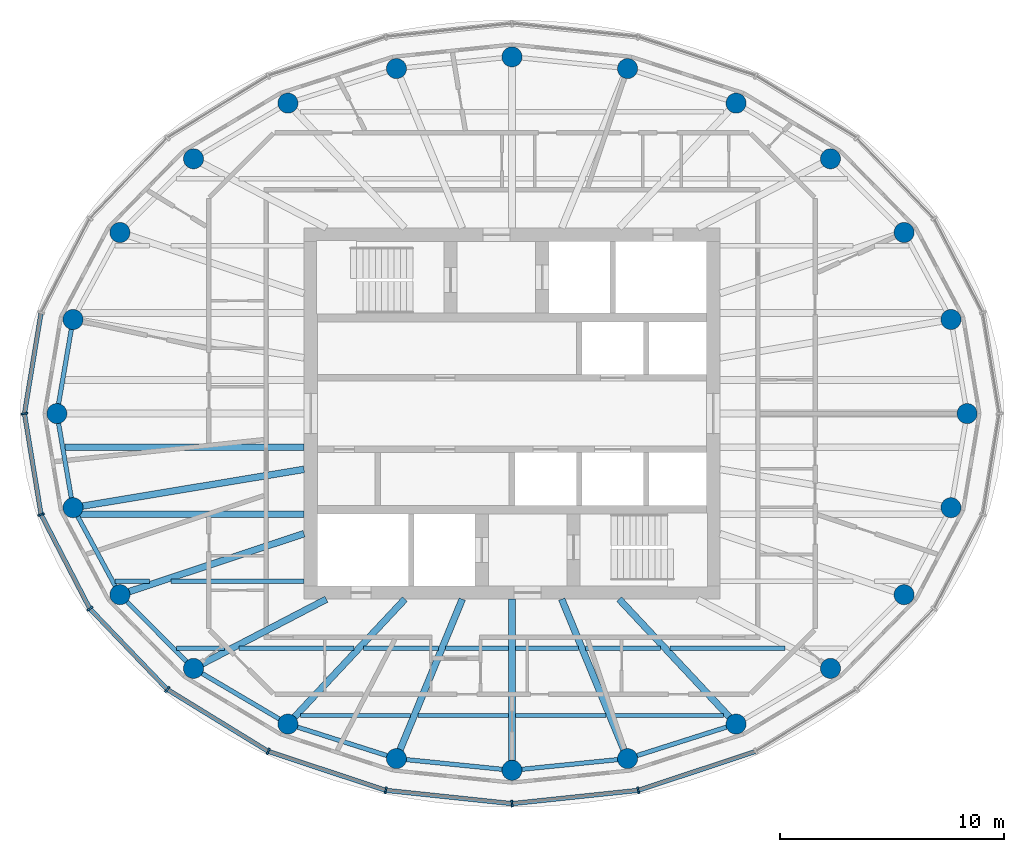
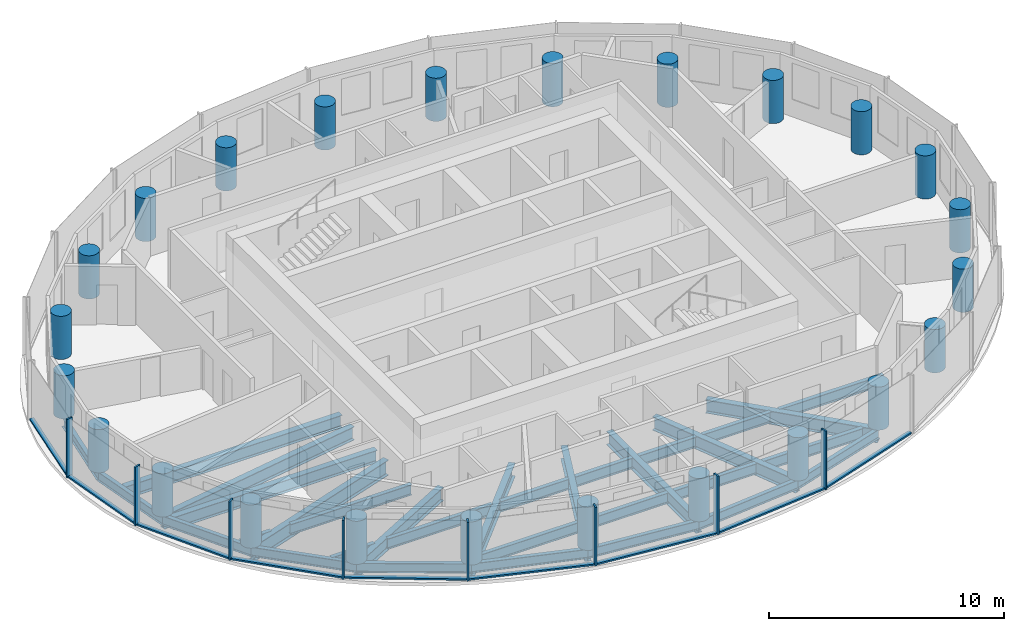
# One storey, part 1 of 11: 32 beams, 24 columns, 17 members, 3 elements without a shape of their own.
"""IFC4 building model written with IfcOpenShell, lengths in metres."""

from ifc_helpers import new_model, si_unit, direction, frame, origin, origin_2d, place, context, subcontext, project, spatial, rectangle, circle, i_section, extrude, clip, halfspace, material, material_profile, profile_set, type_object, element, aggregate, save


model = new_model("IFC4")

# Units and contexts
model_context = context("Model", 3, precision=1e-05, world=origin(), true_north=direction((0.0, 1.0)))
body_context = subcontext(model_context, "Body", "Model", "MODEL_VIEW")
ifc_project = project(units=[si_unit("LENGTHUNIT", "METRE"), si_unit("AREAUNIT", "SQUARE_METRE"), si_unit("VOLUMEUNIT", "CUBIC_METRE"), si_unit("PLANEANGLEUNIT", "RADIAN"), si_unit("MASSUNIT", "GRAM", prefix="KILO")], contexts=[model_context])

# Site, building, storey
site_placement = place(None, origin())
site = spatial("IfcSite", under=ifc_project, at=site_placement, CompositionType="ELEMENT")
building_placement = place(site_placement, origin())
building = spatial("IfcBuilding", under=site, at=building_placement, Name="Hankou Lantern Tower", CompositionType="ELEMENT")
storey_placement = place(building_placement, frame((0.0, 0.0, 229.199951171875)))
storey = spatial("IfcBuildingStorey", under=building, at=storey_placement, Name="L62", CompositionType="ELEMENT", Elevation=229.199951171875)

# Columns
ifc_material_1 = material(Name="Concrete C50", Category="concrete")
ifc_material_profile_1 = material_profile(ifc_material_1, circle(Radius=0.449951171875, at=origin_2d()), Name="RC D900")
ifc_profile_set_1 = profile_set([ifc_material_profile_1], Name="Concrete C50")
column_type = type_object("IfcColumnType", Name="TC5 PERIMETER COLUMN RC D900", PredefinedType="COLUMN", material=ifc_profile_set_1)
for number, where, z_axis, x_axis, name in (
    (1, (20.35009765625, 0.0, 0.0), (0.0, 0.0, 1.0), (1.0, 0.0, 0.0), "Column R01 L62"),
    (2, (19.629150390625, 4.207763671875, 0.0), (0.0, 0.0, 1.0), (1.0, 0.0, 0.0), "Column R02 L62"),
    (3, (17.5322265625, 8.097900390625, 0.0), (0.0, 0.0, 1.0), (1.0, 0.0, 0.0), "Column R03 L62"),
    (4, (14.241455078125, 11.393310546875, 0.0), (0.0, 0.0, 1.0), (1.0, 0.0, 0.0), "Column R04 L62"),
    (5, (10.01904296875, 13.8828125, 0.0), (0.0, 0.0, 1.0), (1.0, 0.0, 0.0), "Column R05 L62"),
    (6, (5.167236328125, 15.42724609375, 0.0), (0.0, 0.0, 1.0), (1.0, 0.0, 0.0), "Column R06 L62"),
    (7, (0.0, 15.949951171875, 0.0), (0.0, 0.0, 1.0), (1.0, 0.0, 0.0), "Column R07 L62"),
    (8, (-5.167236328125, 15.42724609375, 0.0), (0.0, 0.0, 1.0), (1.0, 0.0, 0.0), "Column R08 L62"),
    (9, (-10.01904296875, 13.8828125, 0.0), (0.0, 0.0, 1.0), (1.0, 0.0, 0.0), "Column R09 L62"),
    (10, (-14.241455078125, 11.393310546875, 0.0), (0.0, 0.0, 1.0), (1.0, 0.0, 0.0), "Column R10 L62"),
    (11, (-17.5322265625, 8.097900390625, 0.0), (0.0, 0.0, 1.0), (1.0, 0.0, 0.0), "Column R11 L62"),
    (12, (-19.629150390625, 4.207763671875, 0.0), (0.0, 0.0, 1.0), (1.0, 0.0, 0.0), "Column R12 L62"),
    (13, (-20.35009765625, 0.0, 0.0), (0.0, 0.0, 1.0), (1.0, 0.0, 0.0), "Column R13 L62"),
    (14, (-19.629150390625, -4.207763671875, 0.0), (0.0, 0.0, 1.0), (1.0, 0.0, 0.0), "Column R14 L62"),
    (15, (-17.5322265625, -8.097900390625, 0.0), (0.0, 0.0, 1.0), (1.0, 0.0, 0.0), "Column R15 L62"),
    (16, (-14.241455078125, -11.393310546875, 0.0), (0.0, 0.0, 1.0), (1.0, 0.0, 0.0), "Column R16 L62"),
    (17, (-10.01904296875, -13.8828125, 0.0), (0.0, 0.0, 1.0), (1.0, 0.0, 0.0), "Column R17 L62"),
    (18, (-5.167236328125, -15.42724609375, 0.0), (0.0, 0.0, 1.0), (1.0, 0.0, 0.0), "Column R18 L62"),
    (19, (0.0, -15.949951171875, 0.0), (0.0, 0.0, 1.0), (1.0, 0.0, 0.0), "Column R19 L62"),
    (20, (5.167236328125, -15.42724609375, 0.0), (0.0, 0.0, 1.0), (1.0, 0.0, 0.0), "Column R20 L62"),
    (21, (10.01904296875, -13.8828125, 0.0), (0.0, 0.0, 1.0), (1.0, 0.0, 0.0), "Column R21 L62"),
    (22, (14.241455078125, -11.393310546875, 0.0), (0.0, 0.0, 1.0), (1.0, 0.0, 0.0), "Column R22 L62"),
    (23, (17.5322265625, -8.097900390625, 0.0), (0.0, 0.0, 1.0), (1.0, 0.0, 0.0), "Column R23 L62"),
    (24, (19.629150390625, -4.207763671875, 0.0), (0.0, 0.0, 1.0), (1.0, 0.0, 0.0), "Column R24 L62"),
):
    element("IfcColumn", number, at=place(storey_placement, frame(where, z_axis=z_axis, x_axis=x_axis)), inside=storey, type_object=column_type, Name=name, PredefinedType="COLUMN", context=body_context, shape_type="Clipping", body=[
        clip(extrude(circle(Radius=0.449951171875, at=origin_2d()), origin(), (0.0, 0.0, 1.0), 3.300048828125), halfspace(frame((0.0, 0.0, 2.25), z_axis=(0.0, 0.0, 1.0), x_axis=(1.0, 0.0, 0.0)), False)),
    ])

# Beams
ifc_material_2 = material(Name="Steel Q355B", Category="steel")
ifc_material_profile_2 = material_profile(ifc_material_2, i_section(OverallWidth=0.199951171875, OverallDepth=0.5, WebThickness=0.010009765625, FlangeThickness=0.01611328125, FilletRadius=0.012939453125, at=origin_2d()), Name="HN500x200x10x16")
ifc_profile_set_2 = profile_set([ifc_material_profile_2], Name="Steel Q355B")
beam_type_1 = type_object("IfcBeamType", Name="EB5 RING BEAM HN500x200x10x16", PredefinedType="SPANDREL", material=ifc_profile_set_2)
for number, where, z_axis, x_axis, name in (
    (25, (-19.629150390625, 4.207763671875, -0.429931640625), (-0.168876512999, -0.98563721691, 0.0), (0.98563721691, -0.168876512999, 0.0), "Ring beam R12-R13 L62"),
    (26, (-20.35009765625, 0.0, -0.429931640625), (0.168876512999, -0.98563721691, 0.0), (0.98563721691, 0.168876512999, 0.0), "Ring beam R13-R14 L62"),
):
    element("IfcBeam", number, at=place(storey_placement, frame(where, z_axis=z_axis, x_axis=x_axis)), inside=storey, type_object=beam_type_1, Name=name, PredefinedType="SPANDREL", context=body_context, shape_type="SweptSolid", body=[
        extrude(i_section(OverallWidth=0.199951171875, OverallDepth=0.5, WebThickness=0.010009765625, FlangeThickness=0.01611328125, FilletRadius=0.012939453125, at=origin_2d()), origin(), (0.0, 0.0, 1.0), 4.26904296875),
    ])
beam_1_placement = place(storey_placement, frame((-19.629150390625, -4.207763671875, -0.429931640625), z_axis=(0.474491806611, -0.880259919262, 0.0), x_axis=(0.880259919262, 0.474491806611, 0.0)))
element("IfcBeam", 27, at=beam_1_placement, inside=storey, type_object=beam_type_1, Name="Ring beam R14-R15 L62", PredefinedType="SPANDREL", context=body_context, shape_type="SweptSolid", body=[
    extrude(i_section(OverallWidth=0.199951171875, OverallDepth=0.5, WebThickness=0.010009765625, FlangeThickness=0.01611328125, FilletRadius=0.012939453125, at=origin_2d()), origin(), (0.0, 0.0, 1.0), 4.419189453125),
])
beam_2_placement = place(storey_placement, frame((-17.5322265625, -8.097900390625, -0.429931640625), z_axis=(0.706608588034, -0.707604623583, 0.0), x_axis=(0.707604623583, 0.706608588034, 0.0)))
element("IfcBeam", 28, at=beam_2_placement, inside=storey, type_object=beam_type_1, Name="Ring beam R15-R16 L62", PredefinedType="SPANDREL", context=body_context, shape_type="SweptSolid", body=[
    extrude(i_section(OverallWidth=0.199951171875, OverallDepth=0.5, WebThickness=0.010009765625, FlangeThickness=0.01611328125, FilletRadius=0.012939453125, at=origin_2d()), origin(), (0.0, 0.0, 1.0), 4.6572265625),
])
beam_3_placement = place(storey_placement, frame((-14.241455078125, -11.393310546875, -0.429931640625), z_axis=(0.861422897323, -0.507888365655, 0.0), x_axis=(0.507888365655, 0.861422897323, 0.0)))
element("IfcBeam", 29, at=beam_3_placement, inside=storey, type_object=beam_type_1, Name="Ring beam R16-R17 L62", PredefinedType="SPANDREL", context=body_context, shape_type="SweptSolid", body=[
    extrude(i_section(OverallWidth=0.199951171875, OverallDepth=0.5, WebThickness=0.010009765625, FlangeThickness=0.01611328125, FilletRadius=0.012939453125, at=origin_2d()), origin(), (0.0, 0.0, 1.0), 4.901611328125),
])
beam_4_placement = place(storey_placement, frame((-10.01904296875, -13.8828125, -0.429931640625), z_axis=(0.952887359315, -0.303324381574, 0.0), x_axis=(0.303324381574, 0.952887359315, 0.0)))
element("IfcBeam", 30, at=beam_4_placement, inside=storey, type_object=beam_type_1, Name="Ring beam R17-R18 L62", PredefinedType="SPANDREL", context=body_context, shape_type="SweptSolid", body=[
    extrude(i_section(OverallWidth=0.199951171875, OverallDepth=0.5, WebThickness=0.010009765625, FlangeThickness=0.01611328125, FilletRadius=0.012939453125, at=origin_2d()), origin(), (0.0, 0.0, 1.0), 5.091796875),
])
for number, where, z_axis, x_axis, name in (
    (31, (-5.167236328125, -15.42724609375, -0.429931640625), (0.994922507736, -0.100643944676, 0.0), (0.100643944676, 0.994922507736, 0.0), "Ring beam R18-R19 L62"),
    (32, (0.0, -15.949951171875, -0.429931640625), (0.994922507736, 0.100643944676, 0.0), (-0.100643944676, 0.994922507736, 0.0), "Ring beam R19-R20 L62"),
):
    element("IfcBeam", number, at=place(storey_placement, frame(where, z_axis=z_axis, x_axis=x_axis)), inside=storey, type_object=beam_type_1, Name=name, PredefinedType="SPANDREL", context=body_context, shape_type="SweptSolid", body=[
        extrude(i_section(OverallWidth=0.199951171875, OverallDepth=0.5, WebThickness=0.010009765625, FlangeThickness=0.01611328125, FilletRadius=0.012939453125, at=origin_2d()), origin(), (0.0, 0.0, 1.0), 5.193603515625),
    ])
beam_5_placement = place(storey_placement, frame((5.167236328125, -15.42724609375, -0.429931640625), z_axis=(0.952887359315, 0.303324381574, 0.0), x_axis=(-0.303324381574, 0.952887359315, 0.0)))
element("IfcBeam", 33, at=beam_5_placement, inside=storey, type_object=beam_type_1, Name="Ring beam R20-R21 L62", PredefinedType="SPANDREL", context=body_context, shape_type="SweptSolid", body=[
    extrude(i_section(OverallWidth=0.199951171875, OverallDepth=0.5, WebThickness=0.010009765625, FlangeThickness=0.01611328125, FilletRadius=0.012939453125, at=origin_2d()), origin(), (0.0, 0.0, 1.0), 5.091796875),
])

# Curtain wall, members
ifc_material_3 = material(Name="Glass, dark grey tinted laminated", Category="glass")
curtain_wall_type = type_object("IfcCurtainWallType", Name="CWD OUTER SKIN SUITE", PredefinedType="USERDEFINED", material=ifc_material_3)
curtain_wall_1_placement = place(storey_placement, origin())
curtain_wall_1 = element("IfcCurtainWall", 34, at=curtain_wall_1_placement, inside=storey, type_object=curtain_wall_type, Name="CWD L62 OS3", ObjectType="OUTER SKIN SUITE", PredefinedType="USERDEFINED")
ifc_material_4 = material(Name="Aluminium, black anodised", Category="aluminium")
ifc_material_profile_3 = material_profile(ifc_material_4, rectangle(XDim=0.080078125, YDim=0.300048828125, at=origin_2d()), Name="MU1 80X300")
ifc_profile_set_3 = profile_set([ifc_material_profile_3], Name="Aluminium, black anodised")
member_type_1 = type_object("IfcMemberType", Name="MU1 OUTER SKIN MULLION 80X300", PredefinedType="MULLION", material=ifc_profile_set_3)
member_1_placement = place(storey_placement, frame((-21.800048828125, 0.0, 0.0), z_axis=(0.0, 0.0, 1.0), x_axis=(0.162381515188, -0.986728049427, 0.0)))
member_1 = element("IfcMember", 35, at=member_1_placement, type_object=member_type_1, Name="CWD mullion 1", PredefinedType="MULLION", context=body_context, shape_type="SweptSolid", body=[
    extrude(rectangle(XDim=0.080078125, YDim=0.300048828125, at=origin_2d()), origin(), (0.0, 0.0, 1.0), 3.050048828125),
])
member_2_placement = place(storey_placement, frame((-21.05712890625, -4.513916015625, 0.0), z_axis=(0.0, 0.0, 1.0), x_axis=(0.317595577365, -0.94822626479, 0.0)))
member_2 = element("IfcMember", 36, at=member_2_placement, type_object=member_type_1, Name="CWD mullion 2", PredefinedType="MULLION", context=body_context, shape_type="SweptSolid", body=[
    extrude(rectangle(XDim=0.080078125, YDim=0.300048828125, at=origin_2d()), origin(), (0.0, 0.0, 1.0), 3.050048828125),
])
member_3_placement = place(storey_placement, frame((-18.87939453125, -8.719970703125, 0.0), z_axis=(0.0, 0.0, 1.0), x_axis=(0.585205735974, -0.810884854084, 0.0)))
member_3 = element("IfcMember", 37, at=member_3_placement, type_object=member_type_1, Name="CWD mullion 3", PredefinedType="MULLION", context=body_context, shape_type="SweptSolid", body=[
    extrude(rectangle(XDim=0.080078125, YDim=0.300048828125, at=origin_2d()), origin(), (0.0, 0.0, 1.0), 3.050048828125),
])
member_4_placement = place(storey_placement, frame((-15.4150390625, -12.33203125, 0.0), z_axis=(0.0, 0.0, 1.0), x_axis=(0.780868809444, -0.624695047553, 0.0)))
member_4 = element("IfcMember", 38, at=member_4_placement, type_object=member_type_1, Name="CWD mullion 4", PredefinedType="MULLION", context=body_context, shape_type="SweptSolid", body=[
    extrude(rectangle(XDim=0.080078125, YDim=0.300048828125, at=origin_2d()), origin(), (0.0, 0.0, 1.0), 3.050048828125),
])
member_5_placement = place(storey_placement, frame((-10.89990234375, -15.103515625, 0.0), z_axis=(0.0, 0.0, 1.0), x_axis=(0.907841299004, -0.419313934686, 0.0)))
member_5 = element("IfcMember", 39, at=member_5_placement, type_object=member_type_1, Name="CWD mullion 5", PredefinedType="MULLION", context=body_context, shape_type="SweptSolid", body=[
    extrude(rectangle(XDim=0.080078125, YDim=0.300048828125, at=origin_2d()), origin(), (0.0, 0.0, 1.0), 3.050048828125),
])
member_6_placement = place(storey_placement, frame((-5.642333984375, -16.845703125, 0.0), z_axis=(0.0, 0.0, 1.0), x_axis=(0.977787659625, -0.209597931016, 0.0)))
member_6 = element("IfcMember", 40, at=member_6_placement, type_object=member_type_1, Name="CWD mullion 6", PredefinedType="MULLION", context=body_context, shape_type="SweptSolid", body=[
    extrude(rectangle(XDim=0.080078125, YDim=0.300048828125, at=origin_2d()), origin(), (0.0, 0.0, 1.0), 3.050048828125),
])

curtain_wall_2_placement = place(storey_placement, origin())
curtain_wall_2 = element("IfcCurtainWall", 41, at=curtain_wall_2_placement, inside=storey, type_object=curtain_wall_type, Name="CWD L62 OS4", ObjectType="OUTER SKIN SUITE", PredefinedType="USERDEFINED")
member_7_placement = place(storey_placement, frame((0.0, -17.43994140625, 0.0), z_axis=(0.0, 0.0, 1.0), x_axis=(0.994499359107, 0.104742659579, 0.0)))
member_7 = element("IfcMember", 42, at=member_7_placement, type_object=member_type_1, Name="CWD mullion 1", PredefinedType="MULLION", context=body_context, shape_type="SweptSolid", body=[
    extrude(rectangle(XDim=0.080078125, YDim=0.300048828125, at=origin_2d()), origin(), (0.0, 0.0, 1.0), 3.050048828125),
])
member_8_placement = place(storey_placement, frame((5.642333984375, -16.845703125, 0.0), z_axis=(0.0, 0.0, 1.0), x_axis=(0.977787659625, 0.209597931016, 0.0)))
member_8 = element("IfcMember", 43, at=member_8_placement, type_object=member_type_1, Name="CWD mullion 2", PredefinedType="MULLION", context=body_context, shape_type="SweptSolid", body=[
    extrude(rectangle(XDim=0.080078125, YDim=0.300048828125, at=origin_2d()), origin(), (0.0, 0.0, 1.0), 3.050048828125),
])

# Beams
ifc_material_5 = material(Name="Steel Q355B", Category="steel")
ifc_material_profile_4 = material_profile(ifc_material_5, i_section(OverallWidth=0.300048828125, OverallDepth=0.800048828125, WebThickness=0.013916015625, FlangeThickness=0.02587890625, FilletRadius=0.01806640625, at=origin_2d()), Name="HN800x300x14x26")
ifc_profile_set_4 = profile_set([ifc_material_profile_4], Name="Steel Q355B")
beam_type_2 = type_object("IfcBeamType", Name="RB11 RADIAL BEAM HN800x300x14x26", PredefinedType="BEAM", material=ifc_profile_set_4)
beam_6_placement = place(storey_placement, frame((-9.300048828125, -5.369384765625, -0.579833984375), z_axis=(-0.949219608576, -0.314614263337, 0.0), x_axis=(0.314614263337, -0.949219608576, 0.0)))
element("IfcBeam", 44, at=beam_6_placement, inside=storey, type_object=beam_type_2, Name="Radial beam R15 L62", PredefinedType="BEAM", context=body_context, shape_type="SweptSolid", body=[
    extrude(i_section(OverallWidth=0.300048828125, OverallDepth=0.800048828125, WebThickness=0.013916015625, FlangeThickness=0.02587890625, FilletRadius=0.01806640625, at=origin_2d()), origin(), (0.0, 0.0, 1.0), 8.672607421875),
])
ifc_material_6 = material(Name="Steel Q355B", Category="steel")
ifc_material_profile_5 = material_profile(ifc_material_6, i_section(OverallWidth=0.300048828125, OverallDepth=0.699951171875, WebThickness=0.012939453125, FlangeThickness=0.02392578125, FilletRadius=0.01806640625, at=origin_2d()), Name="HN700x300x13x24")
ifc_profile_set_5 = profile_set([ifc_material_profile_5], Name="Steel Q355B")
beam_type_3 = type_object("IfcBeamType", Name="RB9 RADIAL BEAM HN700x300x13x24", PredefinedType="BEAM", material=ifc_profile_set_5)
beam_7_placement = place(storey_placement, frame((-9.300048828125, -2.491943359375, -0.530029296875), z_axis=(-0.986482007061, -0.163869612027, 0.0), x_axis=(0.163869612027, -0.986482007061, 0.0)))
element("IfcBeam", 45, at=beam_7_placement, inside=storey, type_object=beam_type_3, Name="Radial beam R14 L62", PredefinedType="BEAM", context=body_context, shape_type="SweptSolid", body=[
    extrude(i_section(OverallWidth=0.300048828125, OverallDepth=0.699951171875, WebThickness=0.012939453125, FlangeThickness=0.02392578125, FilletRadius=0.01806640625, at=origin_2d()), origin(), (0.0, 0.0, 1.0), 10.470703125),
])
beam_8_placement = place(storey_placement, frame((-8.300048828125, -8.300048828125, -0.530029296875), z_axis=(-0.886988734783, -0.461791061378, 0.0), x_axis=(0.461791061378, -0.886988734783, 0.0)))
element("IfcBeam", 46, at=beam_8_placement, inside=storey, type_object=beam_type_3, Name="Radial beam R16 L62", PredefinedType="BEAM", context=body_context, shape_type="SweptSolid", body=[
    extrude(i_section(OverallWidth=0.300048828125, OverallDepth=0.699951171875, WebThickness=0.012939453125, FlangeThickness=0.02392578125, FilletRadius=0.01806640625, at=origin_2d()), origin(), (0.0, 0.0, 1.0), 6.698486328125),
])
beam_9_placement = place(storey_placement, frame((-4.7919921875, -8.300048828125, -0.530029296875), z_axis=(-0.68346844743, -0.729980055459, 0.0), x_axis=(0.729980055459, -0.68346844743, 0.0)))
element("IfcBeam", 47, at=beam_9_placement, inside=storey, type_object=beam_type_3, Name="Radial beam R17 L62", PredefinedType="BEAM", context=body_context, shape_type="SweptSolid", body=[
    extrude(i_section(OverallWidth=0.300048828125, OverallDepth=0.699951171875, WebThickness=0.012939453125, FlangeThickness=0.02392578125, FilletRadius=0.01806640625, at=origin_2d()), origin(), (0.0, 0.0, 1.0), 7.64794921875),
])
beam_10_placement = place(storey_placement, frame((-2.223876953125, -8.300048828125, -0.530029296875), z_axis=(-0.381706648123, -0.924283525104, 0.0), x_axis=(0.924283525104, -0.381706648123, 0.0)))
element("IfcBeam", 48, at=beam_10_placement, inside=storey, type_object=beam_type_3, Name="Radial beam R18 L62", PredefinedType="BEAM", context=body_context, shape_type="SweptSolid", body=[
    extrude(i_section(OverallWidth=0.300048828125, OverallDepth=0.699951171875, WebThickness=0.012939453125, FlangeThickness=0.02392578125, FilletRadius=0.01806640625, at=origin_2d()), origin(), (0.0, 0.0, 1.0), 7.7109375),
])
beam_11_placement = place(storey_placement, frame((0.0, -8.300048828125, -0.530029296875), z_axis=(0.0, -1.0, 0.0), x_axis=(1.0, 0.0, 0.0)))
element("IfcBeam", 49, at=beam_11_placement, inside=storey, type_object=beam_type_3, Name="Radial beam R19 L62", PredefinedType="BEAM", context=body_context, shape_type="SweptSolid", body=[
    extrude(i_section(OverallWidth=0.300048828125, OverallDepth=0.699951171875, WebThickness=0.012939453125, FlangeThickness=0.02392578125, FilletRadius=0.01806640625, at=origin_2d()), origin(), (0.0, 0.0, 1.0), 7.64990234375),
])
beam_12_placement = place(storey_placement, frame((2.223876953125, -8.300048828125, -0.530029296875), z_axis=(0.381706648123, -0.924283525104, 0.0), x_axis=(0.924283525104, 0.381706648123, 0.0)))
element("IfcBeam", 50, at=beam_12_placement, inside=storey, type_object=beam_type_3, Name="Radial beam R20 L62", PredefinedType="BEAM", context=body_context, shape_type="SweptSolid", body=[
    extrude(i_section(OverallWidth=0.300048828125, OverallDepth=0.699951171875, WebThickness=0.012939453125, FlangeThickness=0.02392578125, FilletRadius=0.01806640625, at=origin_2d()), origin(), (0.0, 0.0, 1.0), 7.7109375),
])
beam_13_placement = place(storey_placement, frame((4.7919921875, -8.300048828125, -0.530029296875), z_axis=(0.68346844743, -0.729980055459, 0.0), x_axis=(0.729980055459, 0.68346844743, 0.0)))
element("IfcBeam", 51, at=beam_13_placement, inside=storey, type_object=beam_type_3, Name="Radial beam R21 L62", PredefinedType="BEAM", context=body_context, shape_type="SweptSolid", body=[
    extrude(i_section(OverallWidth=0.300048828125, OverallDepth=0.699951171875, WebThickness=0.012939453125, FlangeThickness=0.02392578125, FilletRadius=0.01806640625, at=origin_2d()), origin(), (0.0, 0.0, 1.0), 7.64794921875),
])
ifc_material_7 = material(Name="Steel Q355B", Category="steel")
ifc_material_profile_6 = material_profile(ifc_material_7, i_section(OverallWidth=0.199951171875, OverallDepth=0.550048828125, WebThickness=0.010009765625, FlangeThickness=0.01611328125, FilletRadius=0.012939453125, at=origin_2d()), Name="HN550x200x10x16")
ifc_profile_set_6 = profile_set([ifc_material_profile_6], Name="Steel Q355B")
beam_type_4 = type_object("IfcBeamType", Name="SB6 SECONDARY BEAM HN550x200x10x16", PredefinedType="JOIST", material=ifc_profile_set_6)
beam_14_placement = place(storey_placement, frame((-9.455078125, -13.5, -0.454833984375), z_axis=(1.0, 0.0, 0.0), x_axis=(0.0, 1.0, 0.0)))
element("IfcBeam", 52, at=beam_14_placement, inside=storey, type_object=beam_type_4, Name="Floor joist J001 L62", PredefinedType="JOIST", context=body_context, shape_type="SweptSolid", body=[
    extrude(i_section(OverallWidth=0.199951171875, OverallDepth=0.550048828125, WebThickness=0.010009765625, FlangeThickness=0.01611328125, FilletRadius=0.012939453125, at=origin_2d()), origin(), (0.0, 0.0, 1.0), 4.92138671875),
])
for number, where, z_axis, x_axis, name in (
    (53, (-4.208984375, -13.5, -0.454833984375), (1.0, 0.0, 0.0), (0.0, 1.0, 0.0), "Floor joist J002 L62"),
    (54, (0.14990234375, -13.5, -0.454833984375), (1.0, 0.0, 0.0), (0.0, 1.0, 0.0), "Floor joist J003 L62"),
):
    element("IfcBeam", number, at=place(storey_placement, frame(where, z_axis=z_axis, x_axis=x_axis)), inside=storey, type_object=beam_type_4, Name=name, PredefinedType="JOIST", context=body_context, shape_type="SweptSolid", body=[
        extrude(i_section(OverallWidth=0.199951171875, OverallDepth=0.550048828125, WebThickness=0.010009765625, FlangeThickness=0.01611328125, FilletRadius=0.012939453125, at=origin_2d()), origin(), (0.0, 0.0, 1.0), 4.05908203125),
    ])
beam_15_placement = place(storey_placement, frame((4.53369140625, -13.5, -0.454833984375), z_axis=(1.0, 0.0, 0.0), x_axis=(0.0, 1.0, 0.0)))
element("IfcBeam", 55, at=beam_15_placement, inside=storey, type_object=beam_type_4, Name="Floor joist J004 L62", PredefinedType="JOIST", context=body_context, shape_type="SweptSolid", body=[
    extrude(i_section(OverallWidth=0.199951171875, OverallDepth=0.550048828125, WebThickness=0.010009765625, FlangeThickness=0.01611328125, FilletRadius=0.012939453125, at=origin_2d()), origin(), (0.0, 0.0, 1.0), 4.92138671875),
])
beam_16_placement = place(storey_placement, frame((-14.9921875, -10.5, -0.454833984375), z_axis=(1.0, 0.0, 0.0), x_axis=(0.0, 1.0, 0.0)))
element("IfcBeam", 56, at=beam_16_placement, inside=storey, type_object=beam_type_4, Name="Floor joist J005 L62", PredefinedType="JOIST", context=body_context, shape_type="SweptSolid", body=[
    extrude(i_section(OverallWidth=0.199951171875, OverallDepth=0.550048828125, WebThickness=0.010009765625, FlangeThickness=0.01611328125, FilletRadius=0.012939453125, at=origin_2d()), origin(), (0.0, 0.0, 1.0), 2.1416015625),
])
beam_17_placement = place(storey_placement, frame((-12.200927734375, -10.5, -0.454833984375), z_axis=(1.0, 0.0, 0.0), x_axis=(0.0, 1.0, 0.0)))
element("IfcBeam", 57, at=beam_17_placement, inside=storey, type_object=beam_type_4, Name="Floor joist J006 L62", PredefinedType="JOIST", context=body_context, shape_type="SweptSolid", body=[
    extrude(i_section(OverallWidth=0.199951171875, OverallDepth=0.550048828125, WebThickness=0.010009765625, FlangeThickness=0.01611328125, FilletRadius=0.012939453125, at=origin_2d()), origin(), (0.0, 0.0, 1.0), 5.1435546875),
])
beam_18_placement = place(storey_placement, frame((-6.646240234375, -10.5, -0.454833984375), z_axis=(1.0, 0.0, 0.0), x_axis=(0.0, 1.0, 0.0)))
element("IfcBeam", 58, at=beam_18_placement, inside=storey, type_object=beam_type_4, Name="Floor joist J007 L62", PredefinedType="JOIST", context=body_context, shape_type="SweptSolid", body=[
    extrude(i_section(OverallWidth=0.199951171875, OverallDepth=0.550048828125, WebThickness=0.010009765625, FlangeThickness=0.01611328125, FilletRadius=0.012939453125, at=origin_2d()), origin(), (0.0, 0.0, 1.0), 3.3515625),
])
for number, where, z_axis, x_axis, name in (
    (59, (-2.97021484375, -10.5, -0.454833984375), (1.0, 0.0, 0.0), (0.0, 1.0, 0.0), "Floor joist J008 L62"),
    (60, (0.14990234375, -10.5, -0.454833984375), (1.0, 0.0, 0.0), (0.0, 1.0, 0.0), "Floor joist J009 L62"),
):
    element("IfcBeam", number, at=place(storey_placement, frame(where, z_axis=z_axis, x_axis=x_axis)), inside=storey, type_object=beam_type_4, Name=name, PredefinedType="JOIST", context=body_context, shape_type="SweptSolid", body=[
        extrude(i_section(OverallWidth=0.199951171875, OverallDepth=0.550048828125, WebThickness=0.010009765625, FlangeThickness=0.01611328125, FilletRadius=0.012939453125, at=origin_2d()), origin(), (0.0, 0.0, 1.0), 2.8203125),
    ])
beam_19_placement = place(storey_placement, frame((3.294677734375, -10.5, -0.454833984375), z_axis=(1.0, 0.0, 0.0), x_axis=(0.0, 1.0, 0.0)))
element("IfcBeam", 61, at=beam_19_placement, inside=storey, type_object=beam_type_4, Name="Floor joist J010 L62", PredefinedType="JOIST", context=body_context, shape_type="SweptSolid", body=[
    extrude(i_section(OverallWidth=0.199951171875, OverallDepth=0.550048828125, WebThickness=0.010009765625, FlangeThickness=0.01611328125, FilletRadius=0.012939453125, at=origin_2d()), origin(), (0.0, 0.0, 1.0), 3.3515625),
])
beam_20_placement = place(storey_placement, frame((7.057373046875, -10.5, -0.454833984375), z_axis=(1.0, 0.0, 0.0), x_axis=(0.0, 1.0, 0.0)))
element("IfcBeam", 62, at=beam_20_placement, inside=storey, type_object=beam_type_4, Name="Floor joist J011 L62", PredefinedType="JOIST", context=body_context, shape_type="SweptSolid", body=[
    extrude(i_section(OverallWidth=0.199951171875, OverallDepth=0.550048828125, WebThickness=0.010009765625, FlangeThickness=0.01611328125, FilletRadius=0.012939453125, at=origin_2d()), origin(), (0.0, 0.0, 1.0), 5.1435546875),
])
beam_21_placement = place(storey_placement, frame((-17.740966796875, -7.5, -0.454833984375), z_axis=(1.0, 0.0, 0.0), x_axis=(0.0, 1.0, 0.0)))
element("IfcBeam", 63, at=beam_21_placement, inside=storey, type_object=beam_type_4, Name="Floor joist J013 L62", PredefinedType="JOIST", context=body_context, shape_type="SweptSolid", body=[
    extrude(i_section(OverallWidth=0.199951171875, OverallDepth=0.550048828125, WebThickness=0.010009765625, FlangeThickness=0.01611328125, FilletRadius=0.012939453125, at=origin_2d()), origin(), (0.0, 0.0, 1.0), 1.53564453125),
])
beam_22_placement = place(storey_placement, frame((-15.251708984375, -7.5, -0.454833984375), z_axis=(1.0, 0.0, 0.0), x_axis=(0.0, 1.0, 0.0)))
element("IfcBeam", 64, at=beam_22_placement, inside=storey, type_object=beam_type_4, Name="Floor joist J014 L62", PredefinedType="JOIST", context=body_context, shape_type="SweptSolid", body=[
    extrude(i_section(OverallWidth=0.199951171875, OverallDepth=0.550048828125, WebThickness=0.010009765625, FlangeThickness=0.01611328125, FilletRadius=0.012939453125, at=origin_2d()), origin(), (0.0, 0.0, 1.0), 5.95166015625),
])
ifc_material_8 = material(Name="Steel Q355B", Category="steel")
ifc_material_profile_7 = material_profile(ifc_material_8, i_section(OverallWidth=0.300048828125, OverallDepth=0.64990234375, WebThickness=0.010986328125, FlangeThickness=0.01708984375, FilletRadius=0.01806640625, at=origin_2d()), Name="HN650x300x11x17")
ifc_profile_set_7 = profile_set([ifc_material_profile_7], Name="Steel Q355B")
beam_type_5 = type_object("IfcBeamType", Name="SB8 SECONDARY BEAM HN650x300x11x17", PredefinedType="JOIST", material=ifc_profile_set_7)
beam_23_placement = place(storey_placement, frame((-19.35791015625, -4.5, -0.5048828125), z_axis=(1.0, 0.0, 0.0), x_axis=(0.0, 1.0, 0.0)))
element("IfcBeam", 65, at=beam_23_placement, inside=storey, type_object=beam_type_5, Name="Floor joist J017 L62", PredefinedType="JOIST", context=body_context, shape_type="SweptSolid", body=[
    extrude(i_section(OverallWidth=0.300048828125, OverallDepth=0.64990234375, WebThickness=0.010986328125, FlangeThickness=0.01708984375, FilletRadius=0.01806640625, at=origin_2d()), origin(), (0.0, 0.0, 1.0), 10.057861328125),
])
beam_24_placement = place(storey_placement, frame((-19.991455078125, -1.5, -0.5048828125), z_axis=(1.0, 0.0, 0.0), x_axis=(0.0, 1.0, 0.0)))
element("IfcBeam", 66, at=beam_24_placement, inside=storey, type_object=beam_type_5, Name="Floor joist J019 L62", PredefinedType="JOIST", context=body_context, shape_type="SweptSolid", body=[
    extrude(i_section(OverallWidth=0.300048828125, OverallDepth=0.64990234375, WebThickness=0.010986328125, FlangeThickness=0.01708984375, FilletRadius=0.01806640625, at=origin_2d()), origin(), (0.0, 0.0, 1.0), 10.69140625),
])

# Curtain wall, member
curtain_wall_3_placement = place(storey_placement, origin())
curtain_wall_3 = element("IfcCurtainWall", 67, at=curtain_wall_3_placement, inside=storey, type_object=curtain_wall_type, Name="CWD L62 OS2", ObjectType="OUTER SKIN SUITE", PredefinedType="USERDEFINED")
ifc_material_9 = material(Name="Aluminium, black anodised", Category="aluminium")
ifc_material_profile_8 = material_profile(ifc_material_9, rectangle(XDim=0.199951171875, YDim=0.080078125, at=origin_2d()), Name="TR1 200X80")
ifc_profile_set_8 = profile_set([ifc_material_profile_8], Name="Aluminium, black anodised")
member_type_2 = type_object("IfcMemberType", Name="TR1 OUTER SKIN TRANSOM 200X80", PredefinedType="USERDEFINED", material=ifc_profile_set_8)
member_9_placement = place(storey_placement, frame((-21.063720703125, 4.474365234375, 0.0400390625), z_axis=(-0.162363822839, -0.986730960816, 0.0), x_axis=(0.986730960816, -0.162363822839, 0.0)))
member_9 = element("IfcMember", 68, at=member_9_placement, type_object=member_type_2, Name="CWD transom 6", ObjectType="TRANSOM", PredefinedType="USERDEFINED", context=body_context, shape_type="SweptSolid", body=[
    extrude(rectangle(XDim=0.199951171875, YDim=0.080078125, at=origin_2d()), origin(), (0.0, 0.0, 1.0), 4.494384765625),
])
aggregate(curtain_wall_3, [member_9])

# Member
member_10_placement = place(storey_placement, frame((-21.79345703125, -0.03955078125, 0.0400390625), z_axis=(0.162363822839, -0.986730960816, 0.0), x_axis=(0.986730960816, 0.162363822839, 0.0)))
member_10 = element("IfcMember", 69, at=member_10_placement, type_object=member_type_2, Name="CWD transom 1", ObjectType="TRANSOM", PredefinedType="USERDEFINED", context=body_context, shape_type="SweptSolid", body=[
    extrude(rectangle(XDim=0.199951171875, YDim=0.080078125, at=origin_2d()), origin(), (0.0, 0.0, 1.0), 4.494384765625),
])

member_11_placement = place(storey_placement, frame((-21.038818359375, -4.54931640625, 0.0400390625), z_axis=(0.45979371115, -0.888025755925, 0.0), x_axis=(0.888025755925, 0.45979371115, 0.0)))
member_11 = element("IfcMember", 70, at=member_11_placement, type_object=member_type_2, Name="CWD transom 2", ObjectType="TRANSOM", PredefinedType="USERDEFINED", context=body_context, shape_type="SweptSolid", body=[
    extrude(rectangle(XDim=0.199951171875, YDim=0.080078125, at=origin_2d()), origin(), (0.0, 0.0, 1.0), 4.65673828125),
])

member_12_placement = place(storey_placement, frame((-18.8515625, -8.748779296875, 0.0400390625), z_axis=(0.692204633274, -0.721701285626, 0.0), x_axis=(0.721701285626, 0.692204633274, 0.0)))
member_12 = element("IfcMember", 71, at=member_12_placement, type_object=member_type_2, Name="CWD transom 3", ObjectType="TRANSOM", PredefinedType="USERDEFINED", context=body_context, shape_type="SweptSolid", body=[
    extrude(rectangle(XDim=0.199951171875, YDim=0.080078125, at=origin_2d()), origin(), (0.0, 0.0, 1.0), 4.9248046875),
])

member_13_placement = place(storey_placement, frame((-15.380859375, -12.352783203125, 0.0400390625), z_axis=(0.852234544008, -0.523159900986, 0.0), x_axis=(0.523159900986, 0.852234544008, 0.0)))
member_13 = element("IfcMember", 72, at=member_13_placement, type_object=member_type_2, Name="CWD transom 4", ObjectType="TRANSOM", PredefinedType="USERDEFINED", context=body_context, shape_type="SweptSolid", body=[
    extrude(rectangle(XDim=0.199951171875, YDim=0.080078125, at=origin_2d()), origin(), (0.0, 0.0, 1.0), 5.2177734375),
])

member_14_placement = place(storey_placement, frame((-10.862060546875, -15.115966796875, 0.0400390625), z_axis=(0.949231947668, -0.314577032739, 0.0), x_axis=(0.314577032739, 0.949231947668, 0.0)))
member_14 = element("IfcMember", 73, at=member_14_placement, type_object=member_type_2, Name="CWD transom 5", ObjectType="TRANSOM", PredefinedType="USERDEFINED", context=body_context, shape_type="SweptSolid", body=[
    extrude(rectangle(XDim=0.199951171875, YDim=0.080078125, at=origin_2d()), origin(), (0.0, 0.0, 1.0), 5.458984375),
])

member_15_placement = place(storey_placement, frame((-5.6025390625, -16.849853515625, 0.0400390625), z_axis=(0.994498275726, -0.104752945435, 0.0), x_axis=(0.104752945435, 0.994498275726, 0.0)))
member_15 = element("IfcMember", 74, at=member_15_placement, type_object=member_type_2, Name="CWD transom 6", ObjectType="TRANSOM", PredefinedType="USERDEFINED", context=body_context, shape_type="SweptSolid", body=[
    extrude(rectangle(XDim=0.199951171875, YDim=0.080078125, at=origin_2d()), origin(), (0.0, 0.0, 1.0), 5.593505859375),
])

aggregate(curtain_wall_1, [member_1, member_2, member_3, member_4, member_5, member_6, member_10, member_11, member_12, member_13, member_14, member_15])

member_16_placement = place(storey_placement, frame((0.039794921875, -17.435791015625, 0.0400390625), z_axis=(0.994498275726, 0.104752945435, 0.0), x_axis=(-0.104752945435, 0.994498275726, 0.0)))
member_16 = element("IfcMember", 75, at=member_16_placement, type_object=member_type_2, Name="CWD transom 1", ObjectType="TRANSOM", PredefinedType="USERDEFINED", context=body_context, shape_type="SweptSolid", body=[
    extrude(rectangle(XDim=0.199951171875, YDim=0.080078125, at=origin_2d()), origin(), (0.0, 0.0, 1.0), 5.593505859375),
])

member_17_placement = place(storey_placement, frame((5.68017578125, -16.833251953125, 0.0400390625), z_axis=(0.949231947668, 0.314577032739, 0.0), x_axis=(-0.314577032739, 0.949231947668, 0.0)))
member_17 = element("IfcMember", 76, at=member_17_placement, type_object=member_type_2, Name="CWD transom 2", ObjectType="TRANSOM", PredefinedType="USERDEFINED", context=body_context, shape_type="SweptSolid", body=[
    extrude(rectangle(XDim=0.199951171875, YDim=0.080078125, at=origin_2d()), origin(), (0.0, 0.0, 1.0), 5.458984375),
])

aggregate(curtain_wall_2, [member_7, member_8, member_16, member_17])

save(model, "model.ifc")
